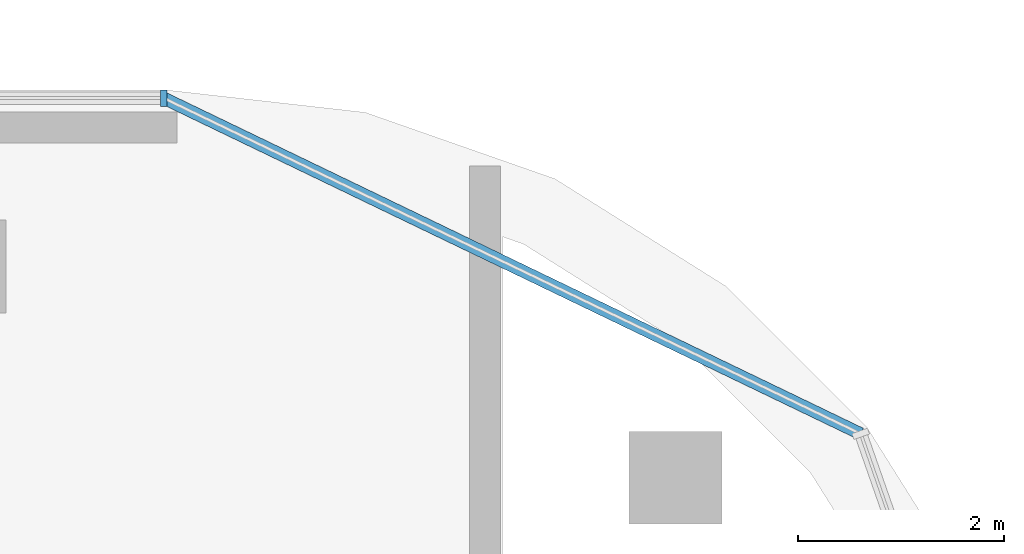
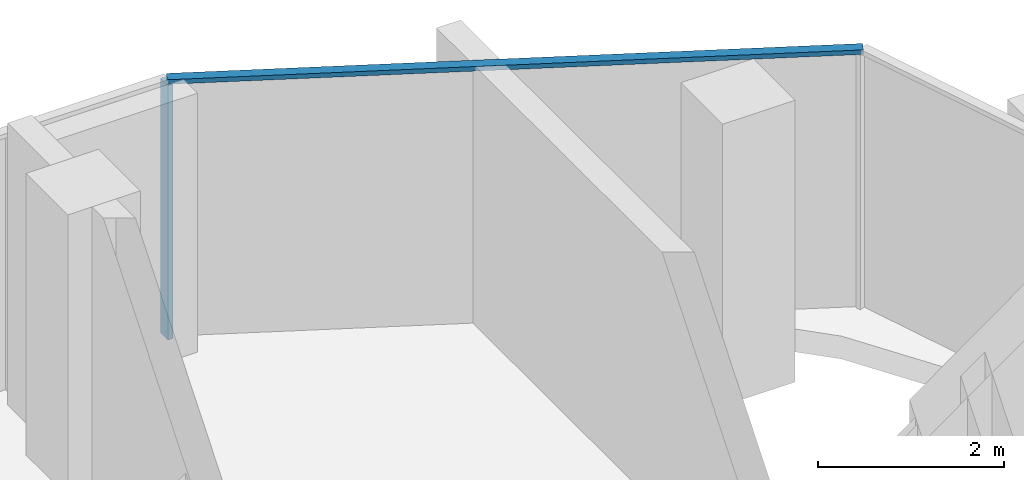
# One storey, part 5 of 19: 2 members, 2 elements without a shape of their own.
"""IFC4 building model written with IfcOpenShell, lengths in metres."""

from ifc_helpers import new_model, si_unit, direction, frame, origin, origin_2d, place, context, subcontext, project, spatial, rectangle, extrude, material, material_profile, profile_set, type_object, element, aggregate, save


model = new_model("IFC4")

# Units and contexts
model_context = context("Model", 3, precision=1e-05, world=origin(), true_north=direction((0.0, 1.0)))
body_context = subcontext(model_context, "Body", "Model", "MODEL_VIEW")
ifc_project = project(units=[si_unit("LENGTHUNIT", "METRE"), si_unit("AREAUNIT", "SQUARE_METRE"), si_unit("VOLUMEUNIT", "CUBIC_METRE"), si_unit("PLANEANGLEUNIT", "RADIAN"), si_unit("MASSUNIT", "GRAM", prefix="KILO")], contexts=[model_context])

# Site, building, storey
site_placement = place(None, origin())
site = spatial("IfcSite", under=ifc_project, at=site_placement, CompositionType="ELEMENT")
building_placement = place(site_placement, origin())
building = spatial("IfcBuilding", under=site, at=building_placement, Name="Ogive Portal Towers", CompositionType="ELEMENT")
storey_placement = place(building_placement, frame((0.0, 0.0, 199.5)))
storey = spatial("IfcBuildingStorey", under=building, at=storey_placement, Name="L49", CompositionType="ELEMENT", Elevation=199.5)

# Curtain wall, member
ifc_material_1 = material(Name="Glass, clear low-iron insulated glazing", Category="glass")
curtain_wall_type = type_object("IfcCurtainWallType", Name="CW FRONT RIBBON 4500", PredefinedType="NOTDEFINED", material=ifc_material_1)
curtain_wall_1_placement = place(storey_placement, origin())
curtain_wall_1 = element("IfcCurtainWall", 1, at=curtain_wall_1_placement, inside=storey, type_object=curtain_wall_type, Name="A:L49:f13:cw0", PredefinedType="NOTDEFINED")
ifc_material_2 = material(Name="Aluminium 6063 anodised", Category="aluminium")
ifc_material_profile_1 = material_profile(ifc_material_2, rectangle(XDim=0.159912109375, YDim=0.06005859375, at=origin_2d()), Name="AL 60x160")
ifc_profile_set_1 = profile_set([ifc_material_profile_1], Name="Aluminium 6063 anodised")
member_type_1 = type_object("IfcMemberType", Name="CW MULLION 60x160", PredefinedType="MULLION", material=ifc_profile_set_1)
member_1_placement = place(storey_placement, frame((87.481689453125, 41.135009765625, 0.0), z_axis=(0.0, 0.0, 1.0), x_axis=(0.0, -1.0, 0.0)))
member_1 = element("IfcMember", 2, at=member_1_placement, type_object=member_type_1, Name="mullion", PredefinedType="MULLION", context=body_context, shape_type="SweptSolid", body=[
    extrude(rectangle(XDim=0.159912109375, YDim=0.06005859375, at=origin_2d()), origin(), (0.0, 0.0, 1.0), 3.340087890625),
])
aggregate(curtain_wall_1, [member_1])

curtain_wall_2_placement = place(storey_placement, origin())
curtain_wall_2 = element("IfcCurtainWall", 3, at=curtain_wall_2_placement, inside=storey, type_object=curtain_wall_type, Name="A:L49:f11:cwa", PredefinedType="NOTDEFINED")
ifc_material_profile_2 = material_profile(ifc_material_2, rectangle(XDim=0.1201171875, YDim=0.06005859375, at=origin_2d()), Name="AL 120x60")
ifc_profile_set_2 = profile_set([ifc_material_profile_2], Name="Aluminium 6063 anodised")
member_type_2 = type_object("IfcMemberType", Name="CW TRANSOM 60x120", PredefinedType="USERDEFINED", material=ifc_profile_set_2)
member_2_placement = place(storey_placement, frame((94.2490234375, 37.8759765625, 3.3701171875), z_axis=(-0.900965905554, 0.433889890445, 0.0), x_axis=(-0.433889890445, -0.900965905554, 0.0)))
member_2 = element("IfcMember", 4, at=member_2_placement, type_object=member_type_2, Name="transom", ObjectType="TRANSOM", PredefinedType="USERDEFINED", context=body_context, shape_type="SweptSolid", body=[
    extrude(rectangle(XDim=0.1201171875, YDim=0.06005859375, at=origin_2d()), origin(), (0.0, 0.0, 1.0), 7.51123046875),
])
aggregate(curtain_wall_2, [member_2])

save(model, "model.ifc")
